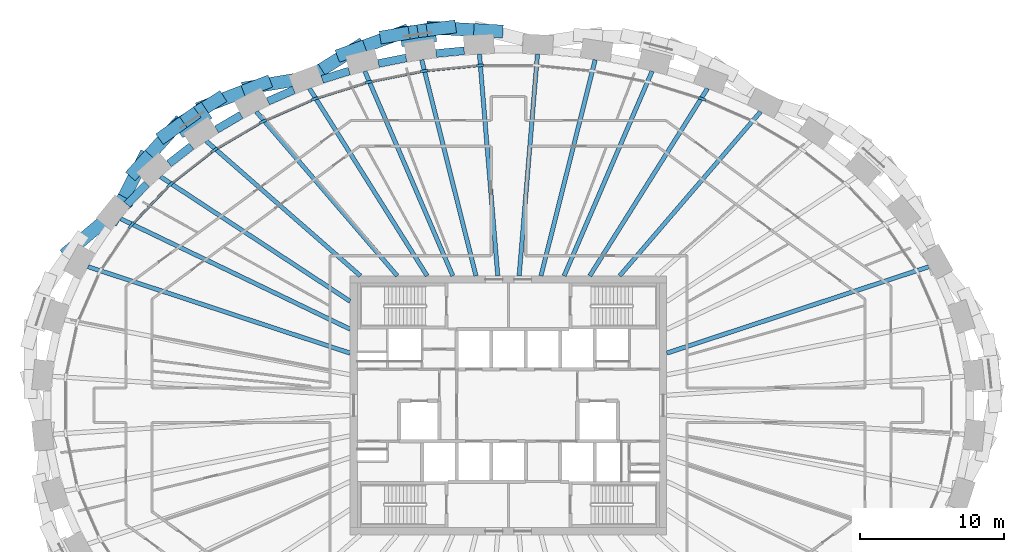
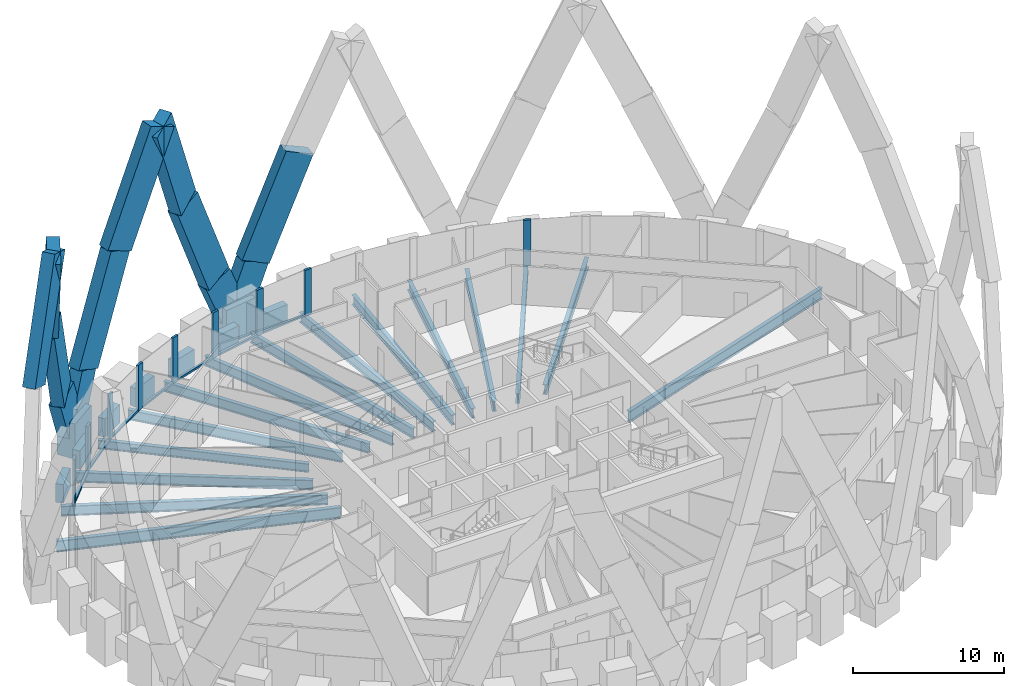
# One storey, part 4 of 15: 30 members, 22 beams, 1 element without a shape of its own.
"""IFC4 building model written with IfcOpenShell, lengths in metres."""

from ifc_helpers import new_model, si_unit, direction, frame, origin, origin_2d, place, context, subcontext, project, spatial, rectangle, i_section, extrude, source, transform, mapped, material, material_profile, profile_set, type_object, element, aggregate, save


model = new_model("IFC4")

# Units and contexts
model_context = context("Model", 3, precision=1e-05, world=origin(), true_north=direction((0.0, 1.0)))
body_context = subcontext(model_context, "Body", "Model", "MODEL_VIEW")
ifc_project = project(units=[si_unit("LENGTHUNIT", "METRE"), si_unit("AREAUNIT", "SQUARE_METRE"), si_unit("VOLUMEUNIT", "CUBIC_METRE"), si_unit("PLANEANGLEUNIT", "RADIAN"), si_unit("MASSUNIT", "GRAM", prefix="KILO")], contexts=[model_context])

# Site, building, storey
site_placement = place(None, origin())
site = spatial("IfcSite", under=ifc_project, at=site_placement, CompositionType="ELEMENT")
building_placement = place(site_placement, origin())
building = spatial("IfcBuilding", under=site, at=building_placement, Name="Embergate Tower", CompositionType="ELEMENT")
storey_placement = place(building_placement, frame((0.0, 0.0, 277.300048828125)))
storey = spatial("IfcBuildingStorey", under=building, at=storey_placement, Name="L64", CompositionType="ELEMENT", Elevation=277.300048828125)

# Beams
ifc_material_1 = material(Name="Concrete C60", Category="concrete")
ifc_material_profile_1 = material_profile(ifc_material_1, rectangle(XDim=0.550048828125, YDim=1.5, at=origin_2d()), Name="RC 550x1500")
ifc_profile_set_1 = profile_set([ifc_material_profile_1], Name="Concrete C60")
beam_type_1 = type_object("IfcBeamType", Name="Spandrel beam RC 550x1500 C60", PredefinedType="BEAM", material=ifc_profile_set_1)
shared_shape_1 = source(origin(), body_context, "Body", "SweptSolid", [
    extrude(rectangle(XDim=0.550048828125, YDim=1.5, at=origin_2d()), origin(), (0.0, 0.0, 1.0), 1.97900390625),
])
beam_1_placement = place(storey_placement, frame((-25.14306640625, 15.387939453125, 0.0), z_axis=(-0.690255649164, -0.723565573253, 0.0), x_axis=(0.723565573253, -0.690255649164, 0.0)))
element("IfcBeam", 1, at=beam_1_placement, inside=storey, type_object=beam_type_1, Name="SPN-L64-17", PredefinedType="BEAM", context=body_context, shape_type="MappedRepresentation", body=[
    mapped(shared_shape_1, transform((0.0, 0.0, 0.0))),
])
shared_shape_2 = source(origin(), body_context, "Body", "SweptSolid", [
    extrude(rectangle(XDim=0.550048828125, YDim=1.5, at=origin_2d()), origin(), (0.0, 0.0, 1.0), 1.974853515625),
])
beam_2_placement = place(storey_placement, frame((-22.030029296875, 18.011962890625, 0.0), z_axis=(-0.788385979859, -0.61518090572, 0.0), x_axis=(0.61518090572, -0.788385979859, 0.0)))
element("IfcBeam", 2, at=beam_2_placement, inside=storey, type_object=beam_type_1, Name="SPN-L64-16", PredefinedType="BEAM", context=body_context, shape_type="MappedRepresentation", body=[
    mapped(shared_shape_2, transform((0.0, 0.0, 0.0))),
])
shared_shape_3 = source(origin(), body_context, "Body", "SweptSolid", [
    extrude(rectangle(XDim=0.550048828125, YDim=1.5, at=origin_2d()), origin(), (0.0, 0.0, 1.0), 1.969482421875),
])
beam_3_placement = place(storey_placement, frame((-18.583984375, 20.174072265625, 0.0), z_axis=(-0.862106236571, -0.506727576578, 0.0), x_axis=(0.506727576578, -0.862106236571, 0.0)))
element("IfcBeam", 3, at=beam_3_placement, inside=storey, type_object=beam_type_1, Name="SPN-L64-15", PredefinedType="BEAM", context=body_context, shape_type="MappedRepresentation", body=[
    mapped(shared_shape_3, transform((0.0, 0.0, 0.0))),
])
shared_shape_4 = source(origin(), body_context, "Body", "SweptSolid", [
    extrude(rectangle(XDim=0.550048828125, YDim=1.5, at=origin_2d()), origin(), (0.0, 0.0, 1.0), 1.96630859375),
])
beam_4_placement = place(storey_placement, frame((-14.912109375, 21.916015625, 0.0), z_axis=(-0.916393681964, -0.400278177842, 0.0), x_axis=(0.400278177842, -0.916393681964, 0.0)))
element("IfcBeam", 4, at=beam_4_placement, inside=storey, type_object=beam_type_1, Name="SPN-L64-14", PredefinedType="BEAM", context=body_context, shape_type="MappedRepresentation", body=[
    mapped(shared_shape_4, transform((0.0, 0.0, 0.0))),
])
shared_shape_5 = source(origin(), body_context, "Body", "SweptSolid", [
    extrude(rectangle(XDim=0.550048828125, YDim=1.5, at=origin_2d()), origin(), (0.0, 0.0, 1.0), 1.96484375),
])
beam_5_placement = place(storey_placement, frame((-11.069091796875, 23.235107421875, 0.0), z_axis=(-0.954771364399, -0.297340951979, 0.0), x_axis=(0.297340951979, -0.954771364399, 0.0)))
element("IfcBeam", 5, at=beam_5_placement, inside=storey, type_object=beam_type_1, Name="SPN-L64-13", PredefinedType="BEAM", context=body_context, shape_type="MappedRepresentation", body=[
    mapped(shared_shape_5, transform((0.0, 0.0, 0.0))),
])
shared_shape_6 = source(origin(), body_context, "Body", "SweptSolid", [
    extrude(rectangle(XDim=0.550048828125, YDim=1.5, at=origin_2d()), origin(), (0.0, 0.0, 1.0), 1.963134765625),
])
beam_6_placement = place(storey_placement, frame((-7.10888671875, 24.139892578125, 0.0), z_axis=(-0.980580675691, -0.196116135138, 0.0), x_axis=(0.196116135138, -0.980580675691, 0.0)))
element("IfcBeam", 6, at=beam_6_placement, inside=storey, type_object=beam_type_1, Name="SPN-L64-12", PredefinedType="BEAM", context=body_context, shape_type="MappedRepresentation", body=[
    mapped(shared_shape_6, transform((0.0, 0.0, 0.0))),
])
shared_shape_7 = source(origin(), body_context, "Body", "SweptSolid", [
    extrude(rectangle(XDim=0.550048828125, YDim=1.5, at=origin_2d()), origin(), (0.0, 0.0, 1.0), 1.96240234375),
])
beam_7_placement = place(storey_placement, frame((-3.0791015625, 24.64208984375, 0.0), z_axis=(-0.99519482752, -0.097914530474, 0.0), x_axis=(0.097914530474, -0.99519482752, 0.0)))
element("IfcBeam", 7, at=beam_7_placement, inside=storey, type_object=beam_type_1, Name="SPN-L64-11", PredefinedType="BEAM", context=body_context, shape_type="MappedRepresentation", body=[
    mapped(shared_shape_7, transform((0.0, 0.0, 0.0))),
])
ifc_material_2 = material(Name="Steel Q355B", Category="steel")
ifc_material_profile_2 = material_profile(ifc_material_2, i_section(OverallWidth=0.300048828125, OverallDepth=0.89990234375, WebThickness=0.01611328125, FlangeThickness=0.028076171875, FilletRadius=0.028076171875, at=origin_2d()), Name="HN 900x300x16x28")
ifc_profile_set_2 = profile_set([ifc_material_profile_2], Name="Steel Q355 grade B")
beam_type_2 = type_object("IfcBeamType", Name="Radial girder HN 900x300x16x28", PredefinedType="BEAM", material=ifc_profile_set_2)
shared_shape_8 = source(origin(), body_context, "Body", "SweptSolid", [
    extrude(i_section(OverallWidth=0.300048828125, OverallDepth=0.89990234375, WebThickness=0.01611328125, FlangeThickness=0.028076171875, FilletRadius=0.028076171875, at=origin_2d()), origin(), (0.0, 0.0, 1.0), 19.189453125),
])
for number, where, z_axis, x_axis, name in (
    (8, (29.22412109375, 9.636962890625, -0.650146484375), (-0.949689890727, -0.313191812555, 0.0), (0.313191812555, -0.949689890727, 0.0), "GIR-L64-02"),
    (9, (-29.22412109375, 9.636962890625, -0.650146484375), (0.949689890727, -0.313191812555, 0.0), (0.313191812555, 0.949689890727, 0.0), "GIR-L64-19"),
):
    element("IfcBeam", number, at=place(storey_placement, frame(where, z_axis=z_axis, x_axis=x_axis)), inside=storey, type_object=beam_type_2, Name=name, PredefinedType="BEAM", context=body_context, shape_type="MappedRepresentation", body=[
        mapped(shared_shape_8, transform((0.0, 0.0, 0.0))),
    ])
ifc_material_profile_3 = material_profile(ifc_material_2, i_section(OverallWidth=0.300048828125, OverallDepth=0.800048828125, WebThickness=0.013916015625, FlangeThickness=0.02587890625, FilletRadius=0.028076171875, at=origin_2d()), Name="HN 800x300x14x26")
ifc_profile_set_3 = profile_set([ifc_material_profile_3], Name="Steel Q355 grade B")
beam_type_3 = type_object("IfcBeamType", Name="Radial girder HN 800x300x14x26", PredefinedType="BEAM", material=ifc_profile_set_3)
shared_shape_9 = source(origin(), body_context, "Body", "SweptSolid", [
    extrude(i_section(OverallWidth=0.300048828125, OverallDepth=0.800048828125, WebThickness=0.013916015625, FlangeThickness=0.02587890625, FilletRadius=0.028076171875, at=origin_2d()), origin(), (0.0, 0.0, 1.0), 17.70947265625),
])
beam_8_placement = place(storey_placement, frame((-26.958984375, 12.968994140625, -0.60009765625), z_axis=(0.901155084862, -0.433496843157, 0.0), x_axis=(0.433496843157, 0.901155084862, 0.0)))
element("IfcBeam", 10, at=beam_8_placement, inside=storey, type_object=beam_type_3, Name="GIR-L64-18", PredefinedType="BEAM", context=body_context, shape_type="MappedRepresentation", body=[
    mapped(shared_shape_9, transform((0.0, 0.0, 0.0))),
])
shared_shape_10 = source(origin(), body_context, "Body", "SweptSolid", [
    extrude(i_section(OverallWidth=0.300048828125, OverallDepth=0.800048828125, WebThickness=0.013916015625, FlangeThickness=0.02587890625, FilletRadius=0.028076171875, at=origin_2d()), origin(), (0.0, 0.0, 1.0), 15.767578125),
])
beam_9_placement = place(storey_placement, frame((-24.177978515625, 15.885009765625, -0.60009765625), z_axis=(0.835759482959, -0.549095698986, 0.0), x_axis=(0.549095698986, 0.835759482959, 0.0)))
element("IfcBeam", 11, at=beam_9_placement, inside=storey, type_object=beam_type_3, Name="GIR-L64-17", PredefinedType="BEAM", context=body_context, shape_type="MappedRepresentation", body=[
    mapped(shared_shape_10, transform((0.0, 0.0, 0.0))),
])
ifc_material_profile_4 = material_profile(ifc_material_2, i_section(OverallWidth=0.300048828125, OverallDepth=0.699951171875, WebThickness=0.012939453125, FlangeThickness=0.02392578125, FilletRadius=0.01806640625, at=origin_2d()), Name="HN 700x300x13x24")
ifc_profile_set_4 = profile_set([ifc_material_profile_4], Name="Steel Q355 grade B")
beam_type_4 = type_object("IfcBeamType", Name="Radial girder HN 700x300x13x24", PredefinedType="BEAM", material=ifc_profile_set_4)
shared_shape_11 = source(origin(), body_context, "Body", "SweptSolid", [
    extrude(i_section(OverallWidth=0.300048828125, OverallDepth=0.699951171875, WebThickness=0.012939453125, FlangeThickness=0.02392578125, FilletRadius=0.01806640625, at=origin_2d()), origin(), (0.0, 0.0, 1.0), 14.226318359375),
])
beam_10_placement = place(storey_placement, frame((-21.0009765625, 18.364990234375, -0.550048828125), z_axis=(0.752763768185, -0.658290748308, 0.0), x_axis=(0.658290748308, 0.752763768185, 0.0)))
element("IfcBeam", 12, at=beam_10_placement, inside=storey, type_object=beam_type_4, Name="GIR-L64-16", PredefinedType="BEAM", context=body_context, shape_type="MappedRepresentation", body=[
    mapped(shared_shape_11, transform((0.0, 0.0, 0.0))),
])
shared_shape_12 = source(origin(), body_context, "Body", "SweptSolid", [
    extrude(i_section(OverallWidth=0.300048828125, OverallDepth=0.800048828125, WebThickness=0.013916015625, FlangeThickness=0.02587890625, FilletRadius=0.028076171875, at=origin_2d()), origin(), (0.0, 0.0, 1.0), 15.03662109375),
])
for number, where, z_axis, x_axis, name in (
    (13, (17.52490234375, 20.407958984375, -0.60009765625), (-0.651467693725, -0.758676376351, 0.0), (0.758676376351, -0.651467693725, 0.0), "GIR-L64-06"),
    (14, (-17.52490234375, 20.407958984375, -0.60009765625), (0.651467693725, -0.758676376351, 0.0), (0.758676376351, 0.651467693725, 0.0), "GIR-L64-15"),
):
    element("IfcBeam", number, at=place(storey_placement, frame(where, z_axis=z_axis, x_axis=x_axis)), inside=storey, type_object=beam_type_3, Name=name, PredefinedType="BEAM", context=body_context, shape_type="MappedRepresentation", body=[
        mapped(shared_shape_12, transform((0.0, 0.0, 0.0))),
    ])
shared_shape_13 = source(origin(), body_context, "Body", "SweptSolid", [
    extrude(i_section(OverallWidth=0.300048828125, OverallDepth=0.800048828125, WebThickness=0.013916015625, FlangeThickness=0.02587890625, FilletRadius=0.028076171875, at=origin_2d()), origin(), (0.0, 0.0, 1.0), 15.37841796875),
])
for number, where, z_axis, x_axis, name in (
    (15, (13.83203125, 22.02294921875, -0.60009765625), (-0.53184995305, -0.84683860767, 0.0), (0.84683860767, -0.53184995305, 0.0), "GIR-L64-07"),
    (16, (-13.83203125, 22.02294921875, -0.60009765625), (0.53184995305, -0.84683860767, 0.0), (0.84683860767, 0.53184995305, 0.0), "GIR-L64-14"),
):
    element("IfcBeam", number, at=place(storey_placement, frame(where, z_axis=z_axis, x_axis=x_axis)), inside=storey, type_object=beam_type_3, Name=name, PredefinedType="BEAM", context=body_context, shape_type="MappedRepresentation", body=[
        mapped(shared_shape_13, transform((0.0, 0.0, 0.0))),
    ])
shared_shape_14 = source(origin(), body_context, "Body", "SweptSolid", [
    extrude(i_section(OverallWidth=0.300048828125, OverallDepth=0.800048828125, WebThickness=0.013916015625, FlangeThickness=0.02587890625, FilletRadius=0.028076171875, at=origin_2d()), origin(), (0.0, 0.0, 1.0), 15.4814453125),
])
for number, where, z_axis, x_axis, name in (
    (17, (9.98291015625, 23.222900390625, -0.60009765625), (-0.394927796759, -0.918712161314, 0.0), (0.918712161314, -0.394927796759, 0.0), "GIR-L64-08"),
    (18, (-9.98291015625, 23.222900390625, -0.60009765625), (0.394927796759, -0.918712161314, 0.0), (0.918712161314, 0.394927796759, 0.0), "GIR-L64-13"),
):
    element("IfcBeam", number, at=place(storey_placement, frame(where, z_axis=z_axis, x_axis=x_axis)), inside=storey, type_object=beam_type_3, Name=name, PredefinedType="BEAM", context=body_context, shape_type="MappedRepresentation", body=[
        mapped(shared_shape_14, transform((0.0, 0.0, 0.0))),
    ])
shared_shape_15 = source(origin(), body_context, "Body", "SweptSolid", [
    extrude(i_section(OverallWidth=0.300048828125, OverallDepth=0.800048828125, WebThickness=0.013916015625, FlangeThickness=0.02587890625, FilletRadius=0.028076171875, at=origin_2d()), origin(), (0.0, 0.0, 1.0), 15.48095703125),
])
for number, where, z_axis, x_axis, name in (
    (19, (6.029052734375, 24.014892578125, -0.60009765625), (-0.243526249663, -0.969894306471, 0.0), (0.969894306471, -0.243526249663, 0.0), "GIR-L64-09"),
    (20, (-6.029052734375, 24.014892578125, -0.60009765625), (0.243526249663, -0.969894306471, 0.0), (0.969894306471, 0.243526249663, 0.0), "GIR-L64-12"),
):
    element("IfcBeam", number, at=place(storey_placement, frame(where, z_axis=z_axis, x_axis=x_axis)), inside=storey, type_object=beam_type_3, Name=name, PredefinedType="BEAM", context=body_context, shape_type="MappedRepresentation", body=[
        mapped(shared_shape_15, transform((0.0, 0.0, 0.0))),
    ])
shared_shape_16 = source(origin(), body_context, "Body", "SweptSolid", [
    extrude(i_section(OverallWidth=0.300048828125, OverallDepth=0.800048828125, WebThickness=0.013916015625, FlangeThickness=0.02587890625, FilletRadius=0.028076171875, at=origin_2d()), origin(), (0.0, 0.0, 1.0), 15.46240234375),
])
for number, where, z_axis, x_axis, name in (
    (21, (2.01611328125, 24.409912109375, -0.60009765625), (-0.082341147883, -0.99660420196, 0.0), (0.99660420196, -0.082341147883, 0.0), "GIR-L64-10"),
    (22, (-2.01611328125, 24.409912109375, -0.60009765625), (0.082341147883, -0.99660420196, 0.0), (0.99660420196, 0.082341147883, 0.0), "GIR-L64-11"),
):
    element("IfcBeam", number, at=place(storey_placement, frame(where, z_axis=z_axis, x_axis=x_axis)), inside=storey, type_object=beam_type_3, Name=name, PredefinedType="BEAM", context=body_context, shape_type="MappedRepresentation", body=[
        mapped(shared_shape_16, transform((0.0, 0.0, 0.0))),
    ])

# Members
ifc_material_3 = material(Name="Concrete C70", Category="concrete")
ifc_material_profile_5 = material_profile(ifc_material_3, rectangle(XDim=1.35009765625, YDim=2.449951171875, at=origin_2d()), Name="RC 1350x2450")
ifc_profile_set_5 = profile_set([ifc_material_profile_5], Name="Concrete C70")
member_type_1 = type_object("IfcMemberType", Name="Lattice node block RC 1350x2450", PredefinedType="POST", material=ifc_profile_set_5)
shared_shape_17 = source(origin(), body_context, "Body", "SweptSolid", [
    extrude(rectangle(XDim=1.35009765625, YDim=2.449951171875, at=origin_2d()), origin(), (0.0, 0.0, 1.0), 2.85009765625),
])
for number, where, z_axis, x_axis, name in (
    (23, (-6.2900390625, 25.77099609375, -1.425048828125), (0.0, 0.0, 1.0), (-0.146929011949, 0.989147039346, 0.0), "NOD-L64-12"),
    (24, (-21.9951171875, 19.8349609375, -1.425048828125), (0.0, 0.0, 1.0), (-0.560393279442, 0.828226643109, 0.0), "NOD-L64-16"),
):
    element("IfcMember", number, at=place(storey_placement, frame(where, z_axis=z_axis, x_axis=x_axis)), inside=storey, type_object=member_type_1, Name=name, PredefinedType="POST", context=body_context, shape_type="MappedRepresentation", body=[
        mapped(shared_shape_17, transform((0.0, 0.0, 0.0))),
    ])
ifc_material_profile_6 = material_profile(ifc_material_3, rectangle(XDim=0.89990234375, YDim=2.199951171875, at=origin_2d()), Name="RC 900x2200")
ifc_profile_set_6 = profile_set([ifc_material_profile_6], Name="Concrete C70")
member_type_2 = type_object("IfcMemberType", Name="Lattice diagonal terracotta-faced RC 900x2200", PredefinedType="BRACE", material=ifc_profile_set_6)
shared_shape_18 = source(origin(), body_context, "Body", "SweptSolid", [
    extrude(rectangle(XDim=0.89990234375, YDim=2.199951171875, at=origin_2d()), origin(), (0.0, 0.0, 1.0), 4.240966796875),
])
member_1_placement = place(storey_placement, frame((-6.322998046875, 25.993896484375, 0.0), z_axis=(0.389780019835, 0.049794670973, 0.919560779329), x_axis=(-0.126720829174, 0.9919384212, 0.0)))
element("IfcMember", 25, at=member_1_placement, inside=storey, type_object=member_type_2, Name="BRC-L64-12-10-S00", PredefinedType="BRACE", context=body_context, shape_type="MappedRepresentation", body=[
    mapped(shared_shape_18, transform((0.0, 0.0, 0.0))),
])
shared_shape_19 = source(origin(), body_context, "Body", "SweptSolid", [
    extrude(rectangle(XDim=0.89990234375, YDim=2.199951171875, at=origin_2d()), origin(), (0.0, 0.0, 1.0), 8.46142578125),
])
member_2_placement = place(storey_placement, frame((-4.669921875, 26.205078125, 3.89990234375), z_axis=(0.387040024768, -0.020341674181, 0.921838508373), x_axis=(0.0524845924, 0.998621733972, 0.0)))
element("IfcMember", 26, at=member_2_placement, inside=storey, type_object=member_type_2, Name="BRC-L64-12-10-S01", PredefinedType="BRACE", context=body_context, shape_type="MappedRepresentation", body=[
    mapped(shared_shape_19, transform((0.0, 0.0, 0.0))),
])
shared_shape_20 = source(origin(), body_context, "Body", "SweptSolid", [
    extrude(rectangle(XDim=0.89990234375, YDim=2.199951171875, at=origin_2d()), origin(), (0.0, 0.0, 1.0), 4.22021484375),
])
member_3_placement = place(storey_placement, frame((-6.322998046875, 25.993896484375, 0.0), z_axis=(-0.376782521498, -0.063693774938, 0.924109319577), x_axis=(0.166681689584, -0.986010757729, 0.0)))
element("IfcMember", 27, at=member_3_placement, inside=storey, type_object=member_type_2, Name="BRC-L64-12-14-S00", PredefinedType="BRACE", context=body_context, shape_type="MappedRepresentation", body=[
    mapped(shared_shape_20, transform((0.0, 0.0, 0.0))),
])
shared_shape_21 = source(origin(), body_context, "Body", "SweptSolid", [
    extrude(rectangle(XDim=0.89990234375, YDim=2.199951171875, at=origin_2d()), origin(), (0.0, 0.0, 1.0), 8.44140625),
])
member_4_placement = place(storey_placement, frame((-7.9130859375, 25.72509765625, 3.89990234375), z_axis=(-0.358808502151, -0.131971884194, 0.92403456676), x_axis=(0.345196968138, -0.938530262266, 0.0)))
element("IfcMember", 28, at=member_4_placement, inside=storey, type_object=member_type_2, Name="BRC-L64-12-14-S01", PredefinedType="BRACE", context=body_context, shape_type="MappedRepresentation", body=[
    mapped(shared_shape_21, transform((0.0, 0.0, 0.0))),
])
shared_shape_22 = source(origin(), body_context, "Body", "SweptSolid", [
    extrude(rectangle(XDim=0.89990234375, YDim=2.199951171875, at=origin_2d()), origin(), (0.0, 0.0, 1.0), 9.07177734375),
])
member_5_placement = place(storey_placement, frame((-10.94189453125, 24.611083984375, 11.699951171875), z_axis=(-0.320008506408, -0.200627652449, 0.925928237446), x_axis=(0.53118328653, -0.847256936302, 0.0)))
element("IfcMember", 29, at=member_5_placement, inside=storey, type_object=member_type_2, Name="BRC-L64-12-14-S02", PredefinedType="BRACE", context=body_context, shape_type="MappedRepresentation", body=[
    mapped(shared_shape_22, transform((0.0, 0.0, 0.0))),
])
shared_shape_23 = source(origin(), body_context, "Body", "SweptSolid", [
    extrude(rectangle(XDim=0.89990234375, YDim=2.199951171875, at=origin_2d()), origin(), (0.0, 0.0, 1.0), 4.26953125),
])
member_6_placement = place(storey_placement, frame((-22.12109375, 20.02197265625, 0.0), z_axis=(0.343374812995, 0.218547632851, 0.913417029607), x_axis=(-0.536939122753, 0.843620992186, 0.0)))
element("IfcMember", 30, at=member_6_placement, inside=storey, type_object=member_type_2, Name="BRC-L64-16-14-S00", PredefinedType="BRACE", context=body_context, shape_type="MappedRepresentation", body=[
    mapped(shared_shape_23, transform((0.0, 0.0, 0.0))),
])
shared_shape_24 = source(origin(), body_context, "Body", "SweptSolid", [
    extrude(rectangle(XDim=0.89990234375, YDim=2.199951171875, at=origin_2d()), origin(), (0.0, 0.0, 1.0), 8.506591796875),
])
member_7_placement = place(storey_placement, frame((-20.655029296875, 20.955078125, 3.89990234375), z_axis=(0.372294493335, 0.14364276435, 0.916931604037), x_axis=(-0.359966871339, 0.932965085916, 0.0)))
element("IfcMember", 31, at=member_7_placement, inside=storey, type_object=member_type_2, Name="BRC-L64-16-14-S01", PredefinedType="BRACE", context=body_context, shape_type="MappedRepresentation", body=[
    mapped(shared_shape_24, transform((0.0, 0.0, 0.0))),
])
shared_shape_25 = source(origin(), body_context, "Body", "SweptSolid", [
    extrude(rectangle(XDim=0.89990234375, YDim=2.199951171875, at=origin_2d()), origin(), (0.0, 0.0, 1.0), 9.176513671875),
])
member_8_placement = place(storey_placement, frame((-17.488037109375, 22.177001953125, 11.699951171875), z_axis=(0.397001551051, 0.066911868442, 0.915375644381), x_axis=(-0.166199031834, 0.986092227846, 0.0)))
element("IfcMember", 32, at=member_8_placement, inside=storey, type_object=member_type_2, Name="BRC-L64-16-14-S02", PredefinedType="BRACE", context=body_context, shape_type="MappedRepresentation", body=[
    mapped(shared_shape_25, transform((0.0, 0.0, 0.0))),
])
shared_shape_26 = source(origin(), body_context, "Body", "SweptSolid", [
    extrude(rectangle(XDim=0.89990234375, YDim=2.199951171875, at=origin_2d()), origin(), (0.0, 0.0, 1.0), 4.2158203125),
])
member_9_placement = place(storey_placement, frame((-22.12109375, 20.02197265625, 0.0), z_axis=(-0.308614241196, -0.221282607546, 0.925089864677), x_axis=(0.582708677979, -0.812681116187, 0.0)))
element("IfcMember", 33, at=member_9_placement, inside=storey, type_object=member_type_2, Name="BRC-L64-16-18-S00", PredefinedType="BRACE", context=body_context, shape_type="MappedRepresentation", body=[
    mapped(shared_shape_26, transform((0.0, 0.0, 0.0))),
])
shared_shape_27 = source(origin(), body_context, "Body", "SweptSolid", [
    extrude(rectangle(XDim=0.89990234375, YDim=2.199951171875, at=origin_2d()), origin(), (0.0, 0.0, 1.0), 8.456298828125),
])
member_10_placement = place(storey_placement, frame((-23.422119140625, 19.089111328125, 3.89990234375), z_axis=(-0.257905861147, -0.287498775921, 0.922403935719), x_axis=(0.744378514679, -0.667757910387, 0.0)))
element("IfcMember", 34, at=member_10_placement, inside=storey, type_object=member_type_2, Name="BRC-L64-16-18-S01", PredefinedType="BRACE", context=body_context, shape_type="MappedRepresentation", body=[
    mapped(shared_shape_27, transform((0.0, 0.0, 0.0))),
])
shared_shape_28 = source(origin(), body_context, "Body", "SweptSolid", [
    extrude(rectangle(XDim=0.89990234375, YDim=2.199951171875, at=origin_2d()), origin(), (0.0, 0.0, 1.0), 9.08447265625),
])
member_11_placement = place(storey_placement, frame((-25.60302734375, 16.657958984375, 11.699951171875), z_axis=(-0.172829080514, -0.339369558191, 0.924639611904), x_axis=(0.891100341071, -0.453806326689, 0.0)))
element("IfcMember", 35, at=member_11_placement, inside=storey, type_object=member_type_2, Name="BRC-L64-16-18-S02", PredefinedType="BRACE", context=body_context, shape_type="MappedRepresentation", body=[
    mapped(shared_shape_28, transform((0.0, 0.0, 0.0))),
])
shared_shape_29 = source(origin(), body_context, "Body", "SweptSolid", [
    extrude(rectangle(XDim=0.89990234375, YDim=2.199951171875, at=origin_2d()), origin(), (0.0, 0.0, 1.0), 9.243896484375),
])
member_12_placement = place(storey_placement, frame((-30.12109375, 11.0849609375, 11.699951171875), z_axis=(0.318913891368, 0.269366689695, 0.908699904465), x_axis=(-0.645266988341, 0.763957141309, 0.0)))
element("IfcMember", 36, at=member_12_placement, inside=storey, type_object=member_type_2, Name="BRC-L64-20-18-S02", PredefinedType="BRACE", context=body_context, shape_type="MappedRepresentation", body=[
    mapped(shared_shape_29, transform((0.0, 0.0, 0.0))),
])

# Curtain wall, members
ifc_material_4 = material(Name="Aluminium and glass", Category="aluminium")
curtain_wall_type = type_object("IfcCurtainWallType", Name="Recessed office glazing", PredefinedType="NOTDEFINED", material=ifc_material_4)
curtain_wall_placement = place(storey_placement, origin())
curtain_wall = element("IfcCurtainWall", 37, at=curtain_wall_placement, inside=storey, type_object=curtain_wall_type, Name="Recessed office glazing ring", ObjectType="RECESSED OFFICE GLAZING", PredefinedType="USERDEFINED")
ifc_material_5 = material(Name="Aluminium, thermally broken", Category="aluminium")
ifc_material_profile_7 = material_profile(ifc_material_5, rectangle(XDim=0.179931640625, YDim=0.52001953125, at=origin_2d()), Name="AL 520x180")
ifc_profile_set_7 = profile_set([ifc_material_profile_7], Name="Aluminium, thermally broken")
member_type_3 = type_object("IfcMemberType", Name="Office mullion", PredefinedType="MULLION", material=ifc_profile_set_7)
shared_shape_30 = source(origin(), body_context, "Body", "SweptSolid", [
    extrude(rectangle(XDim=0.179931640625, YDim=0.52001953125, at=origin_2d()), origin(), (0.0, 0.0, 1.0), 3.699951171875),
])
member_13_placement = place(storey_placement, frame((13.468017578125, 21.295166015625, 0.0), z_axis=(0.0, 0.0, 1.0), x_axis=(-0.349497777064, -0.936937193107, 0.0)))
member_13 = element("IfcMember", 38, at=member_13_placement, type_object=member_type_3, Name="CW mullion 8", PredefinedType="MULLION", context=body_context, shape_type="MappedRepresentation", body=[
    mapped(shared_shape_30, transform((0.0, 0.0, 0.0))),
])
member_14_placement = place(storey_placement, frame((-1.9638671875, 23.6181640625, 0.0), z_axis=(0.0, 0.0, 1.0), x_axis=(0.048970053385, -0.998800247232, 0.0)))
member_14 = element("IfcMember", 39, at=member_14_placement, type_object=member_type_3, Name="CW mullion 12", PredefinedType="MULLION", context=body_context, shape_type="MappedRepresentation", body=[
    mapped(shared_shape_30, transform((0.0, 0.0, 0.0))),
])
member_15_placement = place(storey_placement, frame((-5.872314453125, 23.23388671875, 0.0), z_axis=(0.0, 0.0, 1.0), x_axis=(0.147408930294, -0.989075632735, 0.0)))
member_15 = element("IfcMember", 40, at=member_15_placement, type_object=member_type_3, Name="CW mullion 13", PredefinedType="MULLION", context=body_context, shape_type="MappedRepresentation", body=[
    mapped(shared_shape_30, transform((0.0, 0.0, 0.0))),
])
member_16_placement = place(storey_placement, frame((-9.7216796875, 22.4619140625, 0.0), z_axis=(0.0, 0.0, 1.0), x_axis=(0.247308499144, -0.96893679167, 0.0)))
member_16 = element("IfcMember", 41, at=member_16_placement, type_object=member_type_3, Name="CW mullion 14", PredefinedType="MULLION", context=body_context, shape_type="MappedRepresentation", body=[
    mapped(shared_shape_30, transform((0.0, 0.0, 0.0))),
])
member_17_placement = place(storey_placement, frame((-13.468017578125, 21.295166015625, 0.0), z_axis=(0.0, 0.0, 1.0), x_axis=(0.349497777064, -0.936937193107, 0.0)))
member_17 = element("IfcMember", 42, at=member_17_placement, type_object=member_type_3, Name="CW mullion 15", PredefinedType="MULLION", context=body_context, shape_type="MappedRepresentation", body=[
    mapped(shared_shape_30, transform((0.0, 0.0, 0.0))),
])
member_18_placement = place(storey_placement, frame((-17.06005859375, 19.724365234375, 0.0), z_axis=(0.0, 0.0, 1.0), x_axis=(0.454503607328, -0.89074489666, 0.0)))
member_18 = element("IfcMember", 43, at=member_18_placement, type_object=member_type_3, Name="CW mullion 16", PredefinedType="MULLION", context=body_context, shape_type="MappedRepresentation", body=[
    mapped(shared_shape_30, transform((0.0, 0.0, 0.0))),
])
member_19_placement = place(storey_placement, frame((-20.43603515625, 17.73974609375, 0.0), z_axis=(0.0, 0.0, 1.0), x_axis=(0.562207514921, -0.82699619719, 0.0)))
member_19 = element("IfcMember", 44, at=member_19_placement, type_object=member_type_3, Name="CW mullion 17", PredefinedType="MULLION", context=body_context, shape_type="MappedRepresentation", body=[
    mapped(shared_shape_30, transform((0.0, 0.0, 0.0))),
])
member_20_placement = place(storey_placement, frame((-23.5185546875, 15.333740234375, 0.0), z_axis=(0.0, 0.0, 1.0), x_axis=(0.671216184057, -0.741261650337, 0.0)))
member_20 = element("IfcMember", 45, at=member_20_placement, type_object=member_type_3, Name="CW mullion 18", PredefinedType="MULLION", context=body_context, shape_type="MappedRepresentation", body=[
    mapped(shared_shape_30, transform((0.0, 0.0, 0.0))),
])
member_21_placement = place(storey_placement, frame((-26.212158203125, 12.509521484375, 0.0), z_axis=(0.0, 0.0, 1.0), x_axis=(0.777861596203, -0.628435626897, 0.0)))
member_21 = element("IfcMember", 46, at=member_21_placement, type_object=member_type_3, Name="CW mullion 19", PredefinedType="MULLION", context=body_context, shape_type="MappedRepresentation", body=[
    mapped(shared_shape_30, transform((0.0, 0.0, 0.0))),
])
ifc_material_profile_8 = material_profile(ifc_material_5, rectangle(XDim=0.179931640625, YDim=0.14990234375, at=origin_2d()), Name="AL 150x180")
ifc_profile_set_8 = profile_set([ifc_material_profile_8], Name="Aluminium, thermally broken")
member_type_4 = type_object("IfcMemberType", Name="Office sill transom", PredefinedType="USERDEFINED", material=ifc_profile_set_8)
shared_shape_31 = source(origin(), body_context, "Body", "SweptSolid", [
    extrude(rectangle(XDim=0.179931640625, YDim=0.14990234375, at=origin_2d()), origin(), (0.0, 0.0, 1.0), 3.383056640625),
])
member_22_placement = place(storey_placement, frame((-23.697998046875, 15.145751953125, 0.074951171875), z_axis=(-0.690128955737, -0.723686413064, 0.0), x_axis=(0.723686413064, -0.690128955737, 0.0)))
member_22 = element("IfcMember", 47, at=member_22_placement, type_object=member_type_4, Name="CW transom 18.1", ObjectType="TRANSOM", PredefinedType="USERDEFINED", context=body_context, shape_type="MappedRepresentation", body=[
    mapped(shared_shape_31, transform((0.0, 0.0, 0.0))),
])
shared_shape_32 = source(origin(), body_context, "Body", "SweptSolid", [
    extrude(rectangle(XDim=0.179931640625, YDim=0.14990234375, at=origin_2d()), origin(), (0.0, 0.0, 1.0), 3.39013671875),
])
member_23_placement = place(storey_placement, frame((-20.64111328125, 17.57958984375, 0.074951171875), z_axis=(-0.788350711598, -0.61522610114, 0.0), x_axis=(0.61522610114, -0.788350711598, 0.0)))
member_23 = element("IfcMember", 48, at=member_23_placement, type_object=member_type_4, Name="CW transom 17.1", ObjectType="TRANSOM", PredefinedType="USERDEFINED", context=body_context, shape_type="MappedRepresentation", body=[
    mapped(shared_shape_32, transform((0.0, 0.0, 0.0))),
])
shared_shape_33 = source(origin(), body_context, "Body", "SweptSolid", [
    extrude(rectangle(XDim=0.179931640625, YDim=0.14990234375, at=origin_2d()), origin(), (0.0, 0.0, 1.0), 3.396240234375),
])
member_24_placement = place(storey_placement, frame((-17.2841796875, 19.5927734375, 0.074951171875), z_axis=(-0.86206354594, -0.50680020004, 0.0), x_axis=(0.50680020004, -0.86206354594, 0.0)))
member_24 = element("IfcMember", 49, at=member_24_placement, type_object=member_type_4, Name="CW transom 16.1", ObjectType="TRANSOM", PredefinedType="USERDEFINED", context=body_context, shape_type="MappedRepresentation", body=[
    mapped(shared_shape_33, transform((0.0, 0.0, 0.0))),
])
shared_shape_34 = source(origin(), body_context, "Body", "SweptSolid", [
    extrude(rectangle(XDim=0.179931640625, YDim=0.14990234375, at=origin_2d()), origin(), (0.0, 0.0, 1.0), 3.400634765625),
])
member_25_placement = place(storey_placement, frame((-13.706298828125, 21.19091796875, 0.074951171875), z_axis=(-0.916246290904, -0.400615444542, 0.0), x_axis=(0.400615444542, -0.916246290904, 0.0)))
member_25 = element("IfcMember", 50, at=member_25_placement, type_object=member_type_4, Name="CW transom 15.1", ObjectType="TRANSOM", PredefinedType="USERDEFINED", context=body_context, shape_type="MappedRepresentation", body=[
    mapped(shared_shape_34, transform((0.0, 0.0, 0.0))),
])
shared_shape_35 = source(origin(), body_context, "Body", "SweptSolid", [
    extrude(rectangle(XDim=0.179931640625, YDim=0.14990234375, at=origin_2d()), origin(), (0.0, 0.0, 1.0), 3.40380859375),
])
member_26_placement = place(storey_placement, frame((-9.9697265625, 22.384521484375, 0.074951171875), z_axis=(-0.954785768132, -0.297294697183, 0.0), x_axis=(0.297294697183, -0.954785768132, 0.0)))
member_26 = element("IfcMember", 51, at=member_26_placement, type_object=member_type_4, Name="CW transom 14.1", ObjectType="TRANSOM", PredefinedType="USERDEFINED", context=body_context, shape_type="MappedRepresentation", body=[
    mapped(shared_shape_35, transform((0.0, 0.0, 0.0))),
])
shared_shape_36 = source(origin(), body_context, "Body", "SweptSolid", [
    extrude(rectangle(XDim=0.179931640625, YDim=0.14990234375, at=origin_2d()), origin(), (0.0, 0.0, 1.0), 3.406005859375),
])
member_27_placement = place(storey_placement, frame((-6.127197265625, 23.1826171875, 0.074951171875), z_axis=(-0.980481303877, -0.196612341292, 0.0), x_axis=(0.196612341292, -0.980481303877, 0.0)))
member_27 = element("IfcMember", 52, at=member_27_placement, type_object=member_type_4, Name="CW transom 13.1", ObjectType="TRANSOM", PredefinedType="USERDEFINED", context=body_context, shape_type="MappedRepresentation", body=[
    mapped(shared_shape_36, transform((0.0, 0.0, 0.0))),
])
shared_shape_37 = source(origin(), body_context, "Body", "SweptSolid", [
    extrude(rectangle(XDim=0.179931640625, YDim=0.14990234375, at=origin_2d()), origin(), (0.0, 0.0, 1.0), 3.4072265625),
])
member_28_placement = place(storey_placement, frame((-2.22265625, 23.592529296875, 0.074951171875), z_axis=(-0.995205303523, -0.097807994766, 0.0), x_axis=(0.097807994766, -0.995205303523, 0.0)))
member_28 = element("IfcMember", 53, at=member_28_placement, type_object=member_type_4, Name="CW transom 12.1", ObjectType="TRANSOM", PredefinedType="USERDEFINED", context=body_context, shape_type="MappedRepresentation", body=[
    mapped(shared_shape_37, transform((0.0, 0.0, 0.0))),
])
aggregate(curtain_wall, [member_13, member_14, member_15, member_16, member_17, member_18, member_19, member_20, member_21, member_28, member_27, member_26, member_25, member_24, member_23, member_22])

save(model, "model.ifc")
